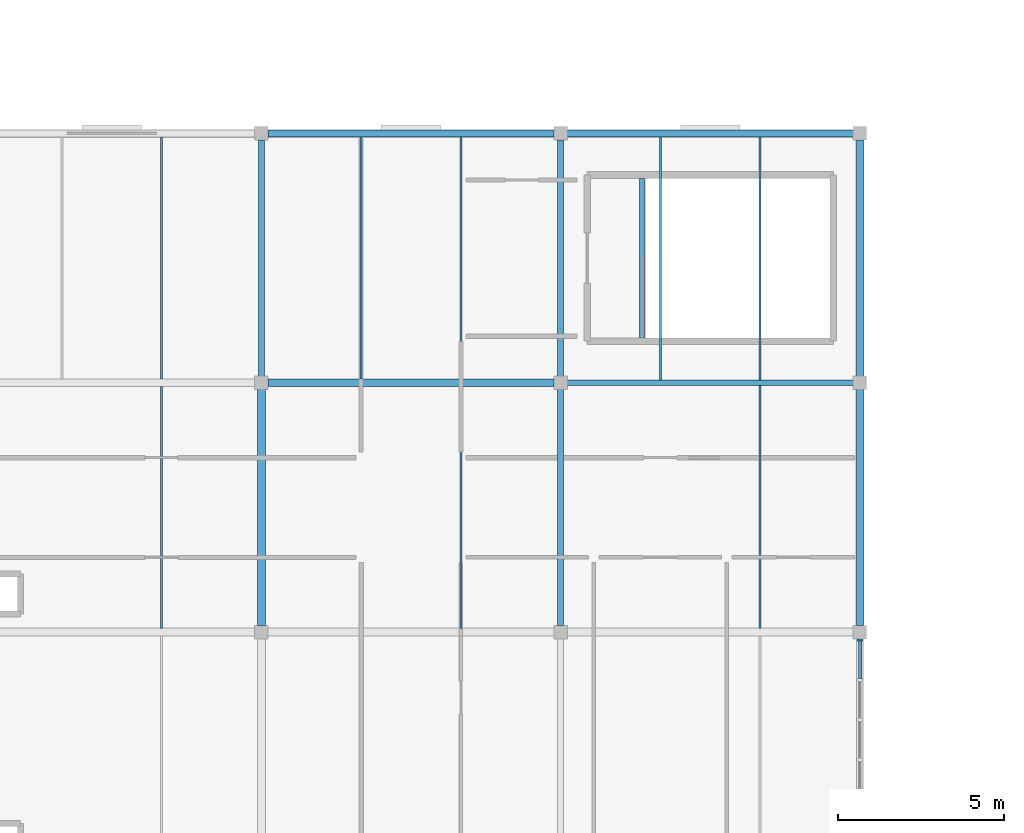
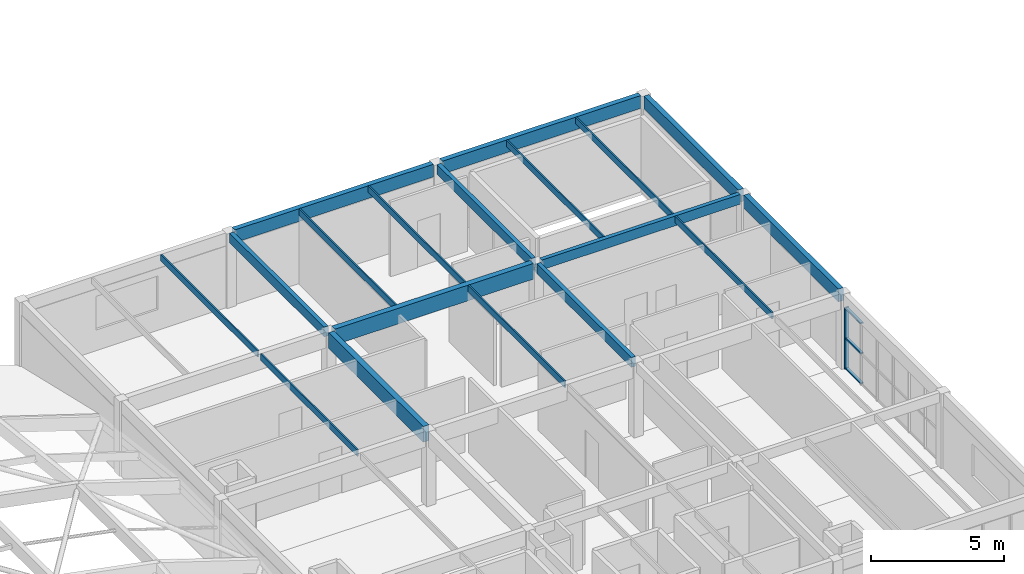
# One storey, part 20 of 81: 19 beams, 4 members, 1 element without a shape of its own.
"""IFC4 building model written with IfcOpenShell, lengths in metres."""

from ifc_helpers import new_model, si_unit, direction, frame, origin, origin_2d, place, context, subcontext, project, spatial, rectangle, i_section, extrude, material, layer, layer_set, material_profile, profile_set, type_object, element, aggregate, save


model = new_model("IFC4")

# Units and contexts
model_context = context("Model", 3, precision=1e-05, world=origin(), true_north=direction((0.0, 1.0)))
body_context = subcontext(model_context, "Body", "Model", "MODEL_VIEW")
ifc_project = project(units=[si_unit("LENGTHUNIT", "METRE"), si_unit("AREAUNIT", "SQUARE_METRE"), si_unit("VOLUMEUNIT", "CUBIC_METRE"), si_unit("PLANEANGLEUNIT", "RADIAN"), si_unit("MASSUNIT", "GRAM", prefix="KILO")], contexts=[model_context])

# Site, building, storey
site_placement = place(None, origin())
site = spatial("IfcSite", under=ifc_project, at=site_placement, CompositionType="ELEMENT")
building_placement = place(site_placement, origin())
building = spatial("IfcBuilding", under=site, at=building_placement, Name="Marnridge Secondary College", CompositionType="ELEMENT")
storey_placement = place(building_placement, frame((0.0, 0.0, 8.5)))
storey = spatial("IfcBuildingStorey", under=building, at=storey_placement, Name="L02", CompositionType="ELEMENT", Elevation=8.5)

# Beams
ifc_material_1 = material(Name="Glulam timber GL18", Category="wood")
ifc_material_profile_1 = material_profile(ifc_material_1, rectangle(XDim=0.175048828125, YDim=0.449951171875, at=origin_2d()), Name="GL18 175x450")
ifc_profile_set_1 = profile_set([ifc_material_profile_1], Name="Glulam timber GL18")
beam_type_1 = type_object("IfcBeamType", Name="BM-GL450-INT", PredefinedType="BEAM", material=ifc_profile_set_1)
for number, where, z_axis, x_axis, name in (
    (1, (99.0, 22.694091796875, 3.195068359375), (0.0, 1.0, 0.0), (-1.0, 0.0, 0.0), "Beam BRF-L02-1274"),
    (2, (108.0, 15.194091796875, 3.195068359375), (0.0, 1.0, 0.0), (-1.0, 0.0, 0.0), "Beam BRF-L02-1281"),
    (3, (108.0, 22.694091796875, 3.195068359375), (0.0, 1.0, 0.0), (-1.0, 0.0, 0.0), "Beam BRF-L02-1283"),
):
    element("IfcBeam", number, at=place(storey_placement, frame(where, z_axis=z_axis, x_axis=x_axis)), inside=storey, type_object=beam_type_1, Name=name, PredefinedType="BEAM", context=body_context, shape_type="SweptSolid", body=[
        extrude(rectangle(XDim=0.175048828125, YDim=0.449951171875, at=origin_2d()), origin(), (0.0, 0.0, 1.0), 7.11181640625),
    ])
beam_1_placement = place(storey_placement, frame((108.194091796875, 22.5, 3.195068359375), z_axis=(1.0, 0.0, 0.0), x_axis=(0.0, 1.0, 0.0)))
element("IfcBeam", 4, at=beam_1_placement, inside=storey, type_object=beam_type_1, Name="Beam BRF-L02-1289", PredefinedType="BEAM", context=body_context, shape_type="SweptSolid", body=[
    extrude(rectangle(XDim=0.175048828125, YDim=0.449951171875, at=origin_2d()), origin(), (0.0, 0.0, 1.0), 8.61181640625),
])
ifc_material_2 = material(Name="Glulam timber GL18", Category="wood")
ifc_material_profile_2 = material_profile(ifc_material_2, rectangle(XDim=0.215087890625, YDim=0.5849609375, at=origin_2d()), Name="GL18 215x585")
ifc_profile_set_2 = profile_set([ifc_material_profile_2], Name="Glulam timber GL18")
beam_type_2 = type_object("IfcBeamType", Name="BM-GL585-EXT", PredefinedType="SPANDREL", material=ifc_profile_set_2)
beam_2_placement = place(storey_placement, frame((99.194091796875, 30.0, 3.12744140625), z_axis=(1.0, 0.0, 0.0), x_axis=(0.0, 1.0, 0.0)))
element("IfcBeam", 5, at=beam_2_placement, inside=storey, type_object=beam_type_2, Name="Beam BRF-L02-1282", PredefinedType="SPANDREL", context=body_context, shape_type="SweptSolid", body=[
    extrude(rectangle(XDim=0.215087890625, YDim=0.5849609375, at=origin_2d()), origin(), (0.0, 0.0, 1.0), 8.61181640625),
])
beam_3_placement = place(storey_placement, frame((117.0, 15.194091796875, 3.12744140625), z_axis=(0.0, 1.0, 0.0), x_axis=(-1.0, 0.0, 0.0)))
element("IfcBeam", 6, at=beam_3_placement, inside=storey, type_object=beam_type_2, Name="Beam BRF-L02-1290", PredefinedType="SPANDREL", context=body_context, shape_type="SweptSolid", body=[
    extrude(rectangle(XDim=0.215087890625, YDim=0.5849609375, at=origin_2d()), origin(), (0.0, 0.0, 1.0), 7.11181640625),
])
beam_4_placement = place(storey_placement, frame((108.194091796875, 30.0, 3.12744140625), z_axis=(1.0, 0.0, 0.0), x_axis=(0.0, 1.0, 0.0)))
element("IfcBeam", 7, at=beam_4_placement, inside=storey, type_object=beam_type_2, Name="Beam BRF-L02-1291", PredefinedType="SPANDREL", context=body_context, shape_type="SweptSolid", body=[
    extrude(rectangle(XDim=0.215087890625, YDim=0.5849609375, at=origin_2d()), origin(), (0.0, 0.0, 1.0), 8.61181640625),
])
beam_5_placement = place(storey_placement, frame((117.0, 22.694091796875, 3.12744140625), z_axis=(0.0, 1.0, 0.0), x_axis=(-1.0, 0.0, 0.0)))
element("IfcBeam", 8, at=beam_5_placement, inside=storey, type_object=beam_type_2, Name="Beam BRF-L02-1292", PredefinedType="SPANDREL", context=body_context, shape_type="SweptSolid", body=[
    extrude(rectangle(XDim=0.215087890625, YDim=0.5849609375, at=origin_2d()), origin(), (0.0, 0.0, 1.0), 7.11181640625),
])
ifc_material_3 = material(Name="Glulam timber GL18", Category="wood")
ifc_material_profile_3 = material_profile(ifc_material_3, rectangle(XDim=0.239990234375, YDim=0.719970703125, at=origin_2d()), Name="GL18 240x720")
ifc_profile_set_3 = profile_set([ifc_material_profile_3], Name="Glulam timber GL18")
beam_type_3 = type_object("IfcBeamType", Name="BM-GL720-INT", PredefinedType="BEAM", material=ifc_profile_set_3)
beam_6_placement = place(storey_placement, frame((99.0, 15.194091796875, 3.06005859375), z_axis=(0.0, 1.0, 0.0), x_axis=(-1.0, 0.0, 0.0)))
element("IfcBeam", 9, at=beam_6_placement, inside=storey, type_object=beam_type_3, Name="Beam BRF-L02-1271", PredefinedType="BEAM", context=body_context, shape_type="SweptSolid", body=[
    extrude(rectangle(XDim=0.239990234375, YDim=0.719970703125, at=origin_2d()), origin(), (0.0, 0.0, 1.0), 7.11181640625),
])
beam_7_placement = place(storey_placement, frame((99.194091796875, 22.5, 3.06005859375), z_axis=(1.0, 0.0, 0.0), x_axis=(0.0, 1.0, 0.0)))
element("IfcBeam", 10, at=beam_7_placement, inside=storey, type_object=beam_type_3, Name="Beam BRF-L02-1280", PredefinedType="BEAM", context=body_context, shape_type="SweptSolid", body=[
    extrude(rectangle(XDim=0.239990234375, YDim=0.719970703125, at=origin_2d()), origin(), (0.0, 0.0, 1.0), 8.61181640625),
])
ifc_material_4 = material(Name="Engineered timber LVL E13.2", Category="wood")
ifc_material_profile_4 = material_profile(ifc_material_4, rectangle(XDim=0.06298828125, YDim=0.300048828125, at=origin_2d()), Name="LVL 63x300")
ifc_profile_set_4 = profile_set([ifc_material_profile_4], Name="Engineered timber LVL E13.2")
beam_type_4 = type_object("IfcBeamType", Name="BM-LVL300-INT", PredefinedType="JOIST", material=ifc_profile_set_4)
beam_8_placement = place(storey_placement, frame((96.0, 15.114013671875, 3.27001953125), z_axis=(0.0, 1.0, 0.0), x_axis=(-1.0, 0.0, 0.0)))
element("IfcBeam", 11, at=beam_8_placement, inside=storey, type_object=beam_type_4, Name="Beam BJ-L02-1296", PredefinedType="JOIST", context=body_context, shape_type="SweptSolid", body=[
    extrude(rectangle(XDim=0.06298828125, YDim=0.300048828125, at=origin_2d()), origin(), (0.0, 0.0, 1.0), 7.27197265625),
])
beam_9_placement = place(storey_placement, frame((96.0, 22.614013671875, 3.27001953125), z_axis=(0.0, 1.0, 0.0), x_axis=(-1.0, 0.0, 0.0)))
element("IfcBeam", 12, at=beam_9_placement, inside=storey, type_object=beam_type_4, Name="Beam BJ-L02-1298", PredefinedType="JOIST", context=body_context, shape_type="SweptSolid", body=[
    extrude(rectangle(XDim=0.06298828125, YDim=0.300048828125, at=origin_2d()), origin(), (0.0, 0.0, 1.0), 7.284423828125),
])
beam_10_placement = place(storey_placement, frame((105.0, 15.114013671875, 3.27001953125), z_axis=(0.0, 1.0, 0.0), x_axis=(-1.0, 0.0, 0.0)))
element("IfcBeam", 13, at=beam_10_placement, inside=storey, type_object=beam_type_4, Name="Beam BJ-L02-1302", PredefinedType="JOIST", context=body_context, shape_type="SweptSolid", body=[
    extrude(rectangle(XDim=0.06298828125, YDim=0.300048828125, at=origin_2d()), origin(), (0.0, 0.0, 1.0), 7.27197265625),
])
for number, where, z_axis, x_axis, name in (
    (14, (102.0, 22.614013671875, 3.27001953125), (0.0, 1.0, 0.0), (-1.0, 0.0, 0.0), "Beam BJ-L02-1303"),
    (15, (105.0, 22.614013671875, 3.27001953125), (0.0, 1.0, 0.0), (-1.0, 0.0, 0.0), "Beam BJ-L02-1304"),
):
    element("IfcBeam", number, at=place(storey_placement, frame(where, z_axis=z_axis, x_axis=x_axis)), inside=storey, type_object=beam_type_4, Name=name, PredefinedType="JOIST", context=body_context, shape_type="SweptSolid", body=[
        extrude(rectangle(XDim=0.06298828125, YDim=0.300048828125, at=origin_2d()), origin(), (0.0, 0.0, 1.0), 7.284423828125),
    ])
beam_11_placement = place(storey_placement, frame((114.0, 15.114013671875, 3.27001953125), z_axis=(0.0, 1.0, 0.0), x_axis=(-1.0, 0.0, 0.0)))
element("IfcBeam", 16, at=beam_11_placement, inside=storey, type_object=beam_type_4, Name="Beam BJ-L02-1308", PredefinedType="JOIST", context=body_context, shape_type="SweptSolid", body=[
    extrude(rectangle(XDim=0.06298828125, YDim=0.300048828125, at=origin_2d()), origin(), (0.0, 0.0, 1.0), 7.304443359375),
])
for number, where, z_axis, x_axis, name in (
    (17, (111.0, 22.58154296875, 3.27001953125), (0.0, 1.0, 0.0), (-1.0, 0.0, 0.0), "Beam BJ-L02-1309"),
    (18, (114.0, 22.58154296875, 3.27001953125), (0.0, 1.0, 0.0), (-1.0, 0.0, 0.0), "Beam BJ-L02-1310"),
):
    element("IfcBeam", number, at=place(storey_placement, frame(where, z_axis=z_axis, x_axis=x_axis)), inside=storey, type_object=beam_type_4, Name=name, PredefinedType="JOIST", context=body_context, shape_type="SweptSolid", body=[
        extrude(rectangle(XDim=0.06298828125, YDim=0.300048828125, at=origin_2d()), origin(), (0.0, 0.0, 1.0), 7.31689453125),
    ])
ifc_material_5 = material(Name="Structural steel Grade 350 (AS/NZS 3679.1/.2, fy = 340-360 MPa)", Category="steel")
ifc_material_profile_5 = material_profile(ifc_material_5, i_section(OverallWidth=0.146240234375, OverallDepth=0.256103515625, WebThickness=0.00634765625, FlangeThickness=0.010986328125, FilletRadius=0.0087890625, at=origin_2d()), Name="250UB37.3")
ifc_profile_set_5 = profile_set([ifc_material_profile_5], Name="Structural steel Grade 350 (AS/NZS 3679.1/.2, fy = 340-360 MPa)")
beam_type_5 = type_object("IfcBeamType", Name="BM-UB250-EXT", PredefinedType="LINTEL", material=ifc_profile_set_5)
beam_12_placement = place(storey_placement, frame((110.449951171875, 23.842041015625, -0.358154296875), z_axis=(0.0, 1.0, 0.0), x_axis=(-1.0, 0.0, 0.0)))
element("IfcBeam", 19, at=beam_12_placement, inside=storey, type_object=beam_type_5, Name="Stair landing trimmer beam BT-L02-056", PredefinedType="LINTEL", context=body_context, shape_type="SweptSolid", body=[
    extrude(i_section(OverallWidth=0.146240234375, OverallDepth=0.256103515625, WebThickness=0.00634765625, FlangeThickness=0.010986328125, FilletRadius=0.0087890625, at=origin_2d()), origin(), (0.0, 0.0, 1.0), 4.802978515625),
])

# Curtain wall, members
ifc_material_6 = material(Name="Thermally broken aluminium and low-E glazing", Category="aluminium")
ifc_layer = layer(ifc_material_6, 0.179931640625)
ifc_layer_set = layer_set([ifc_layer], Name="CW-MOD-1200")
curtain_wall_type = type_object("IfcCurtainWallType", Name="CW-MOD-1200", PredefinedType="NOTDEFINED", material=ifc_layer_set)
curtain_wall_placement = place(storey_placement, origin())
curtain_wall = element("IfcCurtainWall", 20, at=curtain_wall_placement, inside=storey, type_object=curtain_wall_type, Name="Unitised curtain wall CW-L02-085", PredefinedType="NOTDEFINED")
ifc_material_7 = material(Name="Anodised aluminium 6063-T6", Category="aluminium")
ifc_material_profile_6 = material_profile(ifc_material_7, rectangle(XDim=0.06494140625, YDim=0.179931640625, at=origin_2d()), Name="ALU 65x180")
ifc_profile_set_6 = profile_set([ifc_material_profile_6], Name="Anodised aluminium 6063-T6")
member_type_1 = type_object("IfcMemberType", Name="CWM-ALU180", PredefinedType="MULLION", material=ifc_profile_set_6)
member_1_placement = place(storey_placement, frame((117.0, 14.763427734375, 0.0), z_axis=(0.0, 0.0, 1.0), x_axis=(0.0, -1.0, 0.0)))
member_1 = element("IfcMember", 21, at=member_1_placement, type_object=member_type_1, Name="CW-L02-085 mullion 1", PredefinedType="MULLION", context=body_context, shape_type="SweptSolid", body=[
    extrude(rectangle(XDim=0.06494140625, YDim=0.179931640625, at=origin_2d()), origin(), (0.0, 0.0, 1.0), 2.826904296875),
])
ifc_material_8 = material(Name="Anodised aluminium 6063-T6", Category="aluminium")
ifc_material_profile_7 = material_profile(ifc_material_8, rectangle(XDim=0.06005859375, YDim=0.1201171875, at=origin_2d()), Name="ALU 60x120")
ifc_profile_set_7 = profile_set([ifc_material_profile_7], Name="Anodised aluminium 6063-T6")
member_type_2 = type_object("IfcMemberType", Name="CWT-ALU120", PredefinedType="USERDEFINED", material=ifc_profile_set_7)
member_2_placement = place(storey_placement, frame((117.0, 14.73095703125, 0.030029296875), z_axis=(0.0, -1.0, 0.0), x_axis=(0.0, 0.0, 1.0)))
member_2 = element("IfcMember", 22, at=member_2_placement, type_object=member_type_2, Name="CW-L02-085 transom 1.1", ObjectType="TRANSOM", PredefinedType="USERDEFINED", context=body_context, shape_type="SweptSolid", body=[
    extrude(rectangle(XDim=0.06005859375, YDim=0.1201171875, at=origin_2d()), origin(), (0.0, 0.0, 1.0), 1.135009765625),
])
member_3_placement = place(storey_placement, frame((117.0, 14.73095703125, 1.4130859375), z_axis=(0.0, -1.0, 0.0), x_axis=(0.0, 0.0, 1.0)))
member_3 = element("IfcMember", 23, at=member_3_placement, type_object=member_type_2, Name="CW-L02-085 transom 1.2", ObjectType="TRANSOM", PredefinedType="USERDEFINED", context=body_context, shape_type="SweptSolid", body=[
    extrude(rectangle(XDim=0.06005859375, YDim=0.1201171875, at=origin_2d()), origin(), (0.0, 0.0, 1.0), 1.135009765625),
])
member_4_placement = place(storey_placement, frame((117.0, 14.73095703125, 2.797119140625), z_axis=(0.0, -1.0, 0.0), x_axis=(0.0, 0.0, 1.0)))
member_4 = element("IfcMember", 24, at=member_4_placement, type_object=member_type_2, Name="CW-L02-085 transom 1.3", ObjectType="TRANSOM", PredefinedType="USERDEFINED", context=body_context, shape_type="SweptSolid", body=[
    extrude(rectangle(XDim=0.06005859375, YDim=0.1201171875, at=origin_2d()), origin(), (0.0, 0.0, 1.0), 1.135009765625),
])
aggregate(curtain_wall, [member_1, member_2, member_3, member_4])

save(model, "model.ifc")
